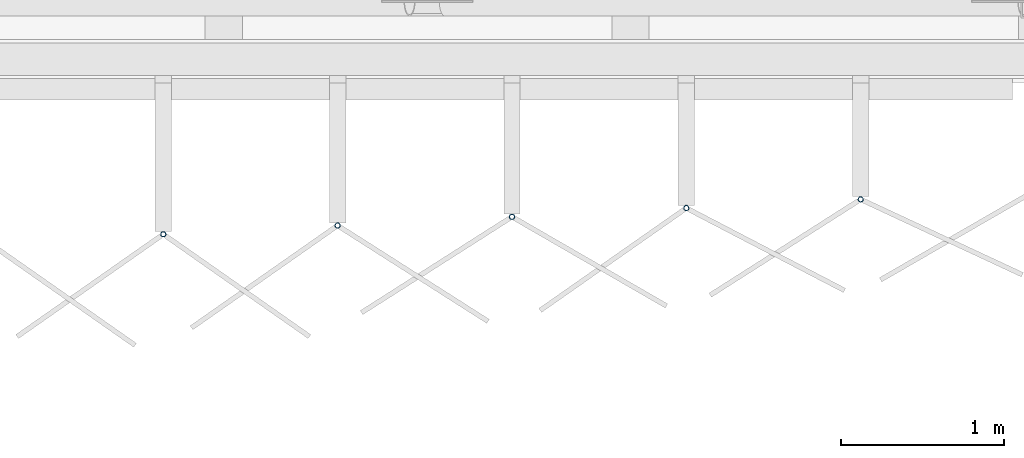
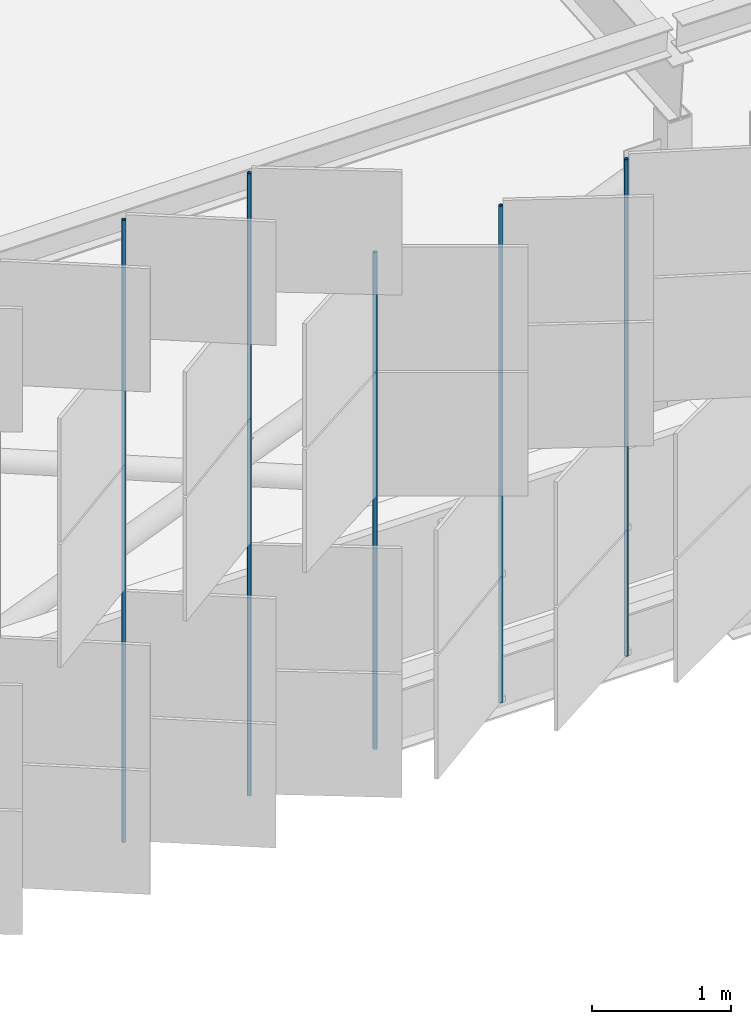
# One storey, part 133 of 483: 5 discrete accessories.
"""IFC4 building model written with IfcOpenShell, lengths in metres."""

from ifc_helpers import new_model, si_unit, direction, frame, origin, origin_2d, place, context, subcontext, project, spatial, hollow_circle, extrude, material, material_profile, profile_set, type_object, element, save


model = new_model("IFC4")

# Units and contexts
model_context = context("Model", 3, precision=1e-05, world=origin(), true_north=direction((0.0, 1.0)))
body_context = subcontext(model_context, "Body", "Model", "MODEL_VIEW")
ifc_project = project(units=[si_unit("LENGTHUNIT", "METRE"), si_unit("AREAUNIT", "SQUARE_METRE"), si_unit("VOLUMEUNIT", "CUBIC_METRE"), si_unit("PLANEANGLEUNIT", "RADIAN"), si_unit("MASSUNIT", "GRAM", prefix="KILO")], contexts=[model_context])

# Site, building, storey
site_placement = place(None, origin())
site = spatial("IfcSite", under=ifc_project, at=site_placement, CompositionType="ELEMENT")
building_placement = place(site_placement, origin())
building = spatial("IfcBuilding", under=site, at=building_placement, Name="Parallax Yard Mobility Hub", CompositionType="ELEMENT")
storey_placement = place(building_placement, frame((0.0, 0.0, 13.199951171875)))
storey = spatial("IfcBuildingStorey", under=building, at=storey_placement, Name="L04", CompositionType="ELEMENT", Elevation=13.199951171875)

# Discrete accessories
ifc_material = material(Name="Steel ASTM A500 Gr C, hot-dip galvanised", Category="steel")
ifc_material_profile = material_profile(ifc_material, hollow_circle(Radius=0.016845703125, WallThickness=0.003173828125, at=origin_2d()), Name="CHS 33.7x3.2")
ifc_profile_set = profile_set([ifc_material_profile], Name="Steel ASTM A500 Gr C, hot-dip galvanised")
discrete_accessory_type = type_object("IfcDiscreteAccessoryType", Name="Hinge post CHS 33.7x3.2", PredefinedType="BRACKET", material=ifc_profile_set)
for number, where, z_axis, x_axis, name in (
    (1, (32.12841796875, 111.569580078125, 0.0), (0.0, 0.0, 1.0), (1.0, 0.0, 0.0), "Hinge post bay 1.3 level L04"),
    (2, (33.19970703125, 111.623291015625, 0.0), (0.0, 0.0, 1.0), (1.0, 0.0, 0.0), "Hinge post bay 1.4 level L04"),
):
    element("IfcDiscreteAccessory", number, at=place(storey_placement, frame(where, z_axis=z_axis, x_axis=x_axis)), inside=storey, type_object=discrete_accessory_type, Name=name, PredefinedType="BRACKET", context=body_context, shape_type="SweptSolid", body=[
        extrude(hollow_circle(Radius=0.016845703125, WallThickness=0.003173828125, at=origin_2d()), origin(), (0.0, 0.0, 1.0), 5.449951171875),
    ])
for number, where, z_axis, x_axis, name in (
    (3, (34.271240234375, 111.6767578125, 0.0), (0.0, 0.0, 1.0), (1.0, 0.0, 0.0), "Hinge post bay 1.5 level L04"),
    (4, (35.3427734375, 111.73046875, 0.0), (0.0, 0.0, 1.0), (1.0, 0.0, 0.0), "Hinge post bay 1.6 level L04"),
    (5, (36.414306640625, 111.783935546875, 0.0), (0.0, 0.0, 1.0), (1.0, 0.0, 0.0), "Hinge post bay 1.7 level L04"),
):
    element("IfcDiscreteAccessory", number, at=place(storey_placement, frame(where, z_axis=z_axis, x_axis=x_axis)), inside=storey, type_object=discrete_accessory_type, Name=name, PredefinedType="BRACKET", context=body_context, shape_type="SweptSolid", body=[
        extrude(hollow_circle(Radius=0.016845703125, WallThickness=0.003173828125, at=origin_2d()), origin(), (0.0, 0.0, 1.0), 4.35009765625),
    ])

save(model, "model.ifc")
